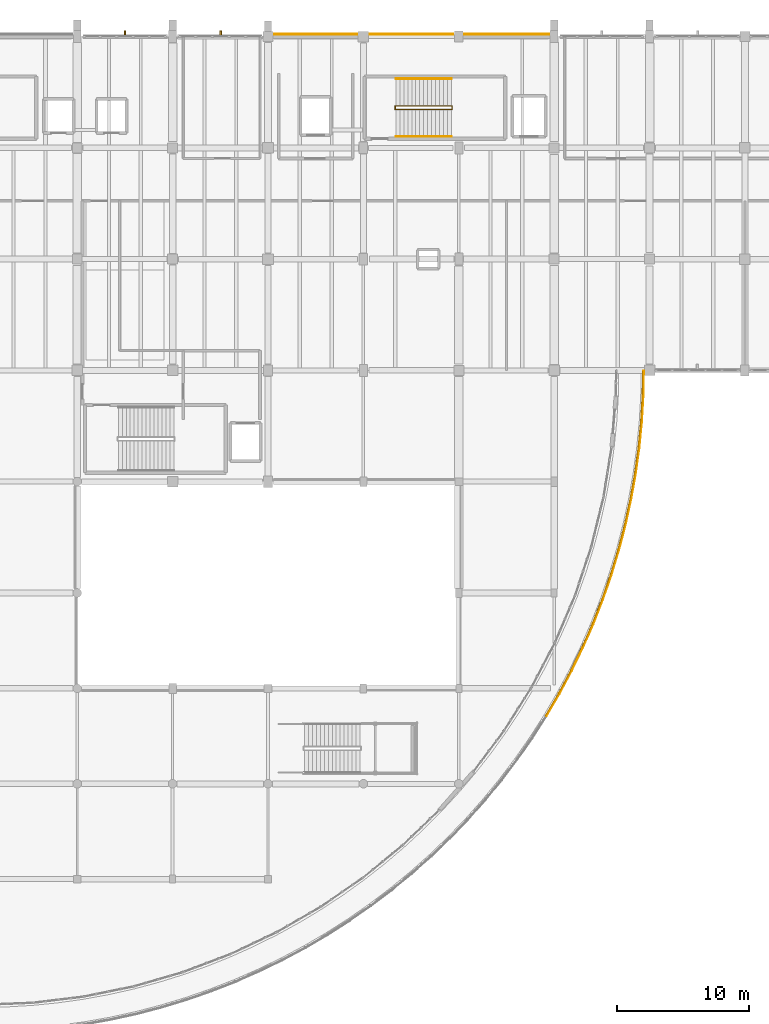
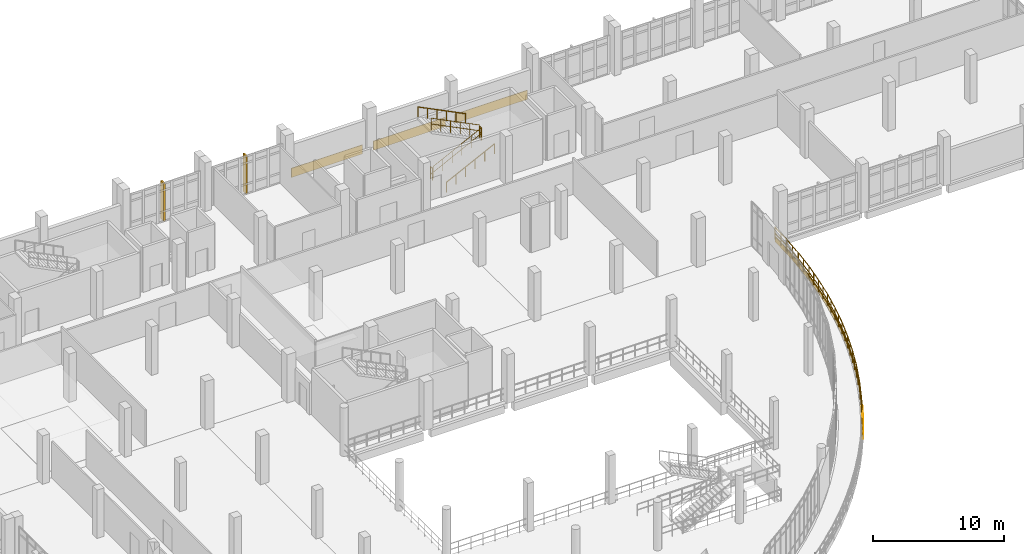
# One storey, part 122 of 124: 20 railings, 17 coverings, 2 shading devices.
"""IFC4 building model written with IfcOpenShell, lengths in metres."""

from ifc_helpers import new_model, si_unit, direction, frame, origin, origin_2d, place, context, subcontext, project, spatial, rectangle, circle, extrude, material, layer, layer_set, type_object, element, save


model = new_model("IFC4")

# Units and contexts
model_context = context("Model", 3, precision=1e-05, world=origin(), true_north=direction((0.0, 1.0)))
body_context = subcontext(model_context, "Body", "Model", "MODEL_VIEW")
ifc_project = project(units=[si_unit("LENGTHUNIT", "METRE"), si_unit("AREAUNIT", "SQUARE_METRE"), si_unit("VOLUMEUNIT", "CUBIC_METRE"), si_unit("PLANEANGLEUNIT", "RADIAN"), si_unit("MASSUNIT", "GRAM", prefix="KILO")], contexts=[model_context])

# Site, building, storey
site_placement = place(None, origin())
site = spatial("IfcSite", under=ifc_project, at=site_placement, CompositionType="ELEMENT")
building_placement = place(site_placement, origin())
building = spatial("IfcBuilding", under=site, at=building_placement, Name="Kalluvel Institute of Natural Sciences", CompositionType="ELEMENT")
storey_placement = place(building_placement, frame((0.0, 0.0, 9.89990234375)))
storey = spatial("IfcBuildingStorey", under=building, at=storey_placement, Name="L02", CompositionType="ELEMENT", Elevation=9.89990234375)

# Coverings
ifc_material_1 = material(Name="Sadarahalli Grey Granite Ashlar Concrete M40", Category="masonry")
ifc_layer = layer(ifc_material_1, 0.044921875)
ifc_layer_set = layer_set([ifc_layer], Name="Sadarahalli Grey Granite Ashlar Concrete M40")
covering_type = type_object("IfcCoveringType", Name="COV-CLAD-STONE", PredefinedType="CLADDING", material=ifc_layer_set)
covering_1_placement = place(storey_placement, frame((60.78759765625, 128.179931640625, 0.025146484375), z_axis=(0.0, 0.0, 1.0), x_axis=(1.0, 0.0, 0.0)))
element("IfcCovering", 1, at=covering_1_placement, inside=storey, type_object=covering_type, Name="L02 Sadarahalli granite plinth spandrel cladding 29", PredefinedType="CLADDING", context=body_context, shape_type="SweptSolid", body=[
    extrude(rectangle(XDim=6.264892578125, YDim=0.044921875, at=origin_2d()), origin(), (0.0, 0.0, 1.0), 0.85009765625),
])
covering_2_placement = place(storey_placement, frame((68.03759765625, 128.179931640625, 0.025146484375), z_axis=(0.0, 0.0, 1.0), x_axis=(1.0, 0.0, 0.0)))
element("IfcCovering", 2, at=covering_2_placement, inside=storey, type_object=covering_type, Name="L02 Sadarahalli granite plinth spandrel cladding 30", PredefinedType="CLADDING", context=body_context, shape_type="SweptSolid", body=[
    extrude(rectangle(XDim=6.31494140625, YDim=0.044921875, at=origin_2d()), origin(), (0.0, 0.0, 1.0), 0.85009765625),
])
covering_3_placement = place(storey_placement, frame((75.21240234375, 128.179931640625, 0.025146484375), z_axis=(0.0, 0.0, 1.0), x_axis=(1.0, 0.0, 0.0)))
element("IfcCovering", 3, at=covering_3_placement, inside=storey, type_object=covering_type, Name="L02 Sadarahalli granite plinth spandrel cladding 31", PredefinedType="CLADDING", context=body_context, shape_type="SweptSolid", body=[
    extrude(rectangle(XDim=6.4150390625, YDim=0.044921875, at=origin_2d()), origin(), (0.0, 0.0, 1.0), 0.85009765625),
])
for number, where, z_axis, x_axis, name in (
    (4, (78.69384765625, 77.542236328125, -0.31982421875), (0.0, 0.0, 1.0), (0.505582083675, 0.862778509623, 0.0), "L02 curved terrace Sadarahalli stone spandrel fascia 273"),
    (5, (79.65234375, 79.253662109375, -0.31982421875), (0.0, 0.0, 1.0), (0.47147369718, 0.881880123865, 0.0), "L02 curved terrace Sadarahalli stone spandrel fascia 274"),
    (6, (80.542724609375, 81.001220703125, -0.31982421875), (0.0, 0.0, 1.0), (0.436487756861, 0.899710196736, 0.0), "L02 curved terrace Sadarahalli stone spandrel fascia 275"),
    (7, (81.364013671875, 82.782470703125, -0.31982421875), (0.0, 0.0, 1.0), (0.400668879095, 0.916222925562, 0.0), "L02 curved terrace Sadarahalli stone spandrel fascia 276"),
    (8, (82.114501953125, 84.594482421875, -0.31982421875), (0.0, 0.0, 1.0), (0.364551762325, 0.931183125162, 0.0), "L02 curved terrace Sadarahalli stone spandrel fascia 277"),
    (9, (82.79345703125, 86.434814453125, -0.31982421875), (0.0, 0.0, 1.0), (0.327712628196, 0.944777451743, 0.0), "L02 curved terrace Sadarahalli stone spandrel fascia 278"),
    (10, (83.3994140625, 88.300048828125, -0.31982421875), (0.0, 0.0, 1.0), (0.290201167351, 0.956965664205, 0.0), "L02 curved terrace Sadarahalli stone spandrel fascia 279"),
    (11, (83.931884765625, 90.18798828125, -0.31982421875), (0.0, 0.0, 1.0), (0.252576015004, 0.967577054629, 0.0), "L02 curved terrace Sadarahalli stone spandrel fascia 280"),
    (12, (84.389892578125, 92.09521484375, -0.31982421875), (0.0, 0.0, 1.0), (0.214223913346, 0.976784579603, 0.0), "L02 curved terrace Sadarahalli stone spandrel fascia 281"),
    (13, (84.7724609375, 94.018798828125, -0.31982421875), (0.0, 0.0, 1.0), (0.175710371841, 0.984441905461, 0.0), "L02 curved terrace Sadarahalli stone spandrel fascia 282"),
    (14, (85.079345703125, 95.956298828125, -0.31982421875), (0.0, 0.0, 1.0), (0.137098784642, 0.990557380089, 0.0), "L02 curved terrace Sadarahalli stone spandrel fascia 283"),
    (15, (85.309814453125, 97.904052734375, -0.31982421875), (0.0, 0.0, 1.0), (0.097930293706, 0.995193276492, 0.0), "L02 curved terrace Sadarahalli stone spandrel fascia 284"),
    (16, (85.463623046875, 99.859375, -0.31982421875), (0.0, 0.0, 1.0), (0.058957918535, 0.998260468937, 0.0), "L02 curved terrace Sadarahalli stone spandrel fascia 285"),
    (17, (85.540771484375, 101.8193359375, -0.31982421875), (0.0, 0.0, 1.0), (0.019546442745, 0.999808950038, 0.0), "L02 curved terrace Sadarahalli stone spandrel fascia 286"),
):
    element("IfcCovering", number, at=place(storey_placement, frame(where, z_axis=z_axis, x_axis=x_axis)), inside=storey, type_object=covering_type, Name=name, PredefinedType="CLADDING", context=body_context, shape_type="SweptSolid", body=[
        extrude(rectangle(XDim=1.92138671875, YDim=0.054931640625, at=origin_2d()), origin(), (0.0, 0.0, 1.0), 0.47998046875),
    ])

# Railings
ifc_material_2 = material(Name="Steel E350 Grade 350", Category="steel")
railing_type_1 = type_object("IfcRailingType", Name="RL-BAL-EXT", PredefinedType="BALUSTRADE", material=ifc_material_2)
railing_1_placement = place(storey_placement, frame((78.129638671875, 76.73779296875, 0.0)))
element("IfcRailing", 18, at=railing_1_placement, inside=storey, type_object=railing_type_1, Name="L02 curved atrium terrace balustrade", PredefinedType="BALUSTRADE", context=body_context, shape_type="SweptSolid", body=[
    extrude(circle(Radius=0.02392578125, at=origin_2d()), frame((0.0, 0.0, 1.09619140625), z_axis=(0.505706703686, 0.862705471089, 0.0), x_axis=(-0.862705471089, 0.505706703686, 0.0)), (0.0, 0.0, 1.0), 1.95849609375),
    extrude(circle(Radius=0.02392578125, at=origin_2d()), frame((0.0, 0.0, 0.56005859375), z_axis=(0.505706703686, 0.862705471089, 0.0), x_axis=(-0.862705471089, 0.505706703686, 0.0)), (0.0, 0.0, 1.0), 1.95849609375),
    extrude(circle(Radius=0.02099609375, at=origin_2d()), origin(), (0.0, 0.0, 1.0), 1.072021484375),
    extrude(circle(Radius=0.02099609375, at=origin_2d()), frame((0.4951171875, 0.8447265625, 0.0)), (0.0, 0.0, 1.0), 1.072021484375),
    extrude(circle(Radius=0.02099609375, at=origin_2d()), frame((0.990478515625, 1.689697265625, 0.0)), (0.0, 0.0, 1.0), 1.072021484375),
])
railing_2_placement = place(storey_placement, frame((79.1201171875, 78.427490234375, 0.0)))
element("IfcRailing", 19, at=railing_2_placement, inside=storey, type_object=railing_type_1, Name="L02 curved atrium terrace balustrade", PredefinedType="BALUSTRADE", context=body_context, shape_type="SweptSolid", body=[
    extrude(circle(Radius=0.02392578125, at=origin_2d()), frame((0.0, 0.0, 1.09619140625), z_axis=(0.471377271187, 0.881931668673, 0.0), x_axis=(-0.881931668673, 0.471377271187, 0.0)), (0.0, 0.0, 1.0), 1.958740234375),
    extrude(circle(Radius=0.02392578125, at=origin_2d()), frame((0.0, 0.0, 0.56005859375), z_axis=(0.471377271187, 0.881931668673, 0.0), x_axis=(-0.881931668673, 0.471377271187, 0.0)), (0.0, 0.0, 1.0), 1.958740234375),
    extrude(circle(Radius=0.02099609375, at=origin_2d()), origin(), (0.0, 0.0, 1.0), 1.072021484375),
    extrude(circle(Radius=0.02099609375, at=origin_2d()), frame((0.461669921875, 0.86376953125, 0.0)), (0.0, 0.0, 1.0), 1.072021484375),
    extrude(circle(Radius=0.02099609375, at=origin_2d()), frame((0.92333984375, 1.7275390625, 0.0)), (0.0, 0.0, 1.0), 1.072021484375),
])
railing_3_placement = place(storey_placement, frame((80.04345703125, 80.155029296875, 0.0)))
element("IfcRailing", 20, at=railing_3_placement, inside=storey, type_object=railing_type_1, Name="L02 curved atrium terrace balustrade", PredefinedType="BALUSTRADE", context=body_context, shape_type="SweptSolid", body=[
    extrude(circle(Radius=0.02392578125, at=origin_2d()), frame((0.0, 0.0, 1.09619140625), z_axis=(0.436411129758, 0.899747367778, 0.0), x_axis=(-0.899747367778, 0.436411129758, 0.0)), (0.0, 0.0, 1.0), 1.95849609375),
    extrude(circle(Radius=0.02392578125, at=origin_2d()), frame((0.0, 0.0, 0.56005859375), z_axis=(0.436411129758, 0.899747367778, 0.0), x_axis=(-0.899747367778, 0.436411129758, 0.0)), (0.0, 0.0, 1.0), 1.95849609375),
    extrude(circle(Radius=0.02099609375, at=origin_2d()), origin(), (0.0, 0.0, 1.0), 1.072021484375),
    extrude(circle(Radius=0.02099609375, at=origin_2d()), frame((0.42724609375, 0.881103515625, 0.0)), (0.0, 0.0, 1.0), 1.072021484375),
    extrude(circle(Radius=0.02099609375, at=origin_2d()), frame((0.854736328125, 1.76220703125, 0.0)), (0.0, 0.0, 1.0), 1.072021484375),
])
railing_4_placement = place(storey_placement, frame((80.898193359375, 81.917236328125, 0.0)))
element("IfcRailing", 21, at=railing_4_placement, inside=storey, type_object=railing_type_1, Name="L02 curved atrium terrace balustrade", PredefinedType="BALUSTRADE", context=body_context, shape_type="SweptSolid", body=[
    extrude(circle(Radius=0.02392578125, at=origin_2d()), frame((0.0, 0.0, 1.09619140625), z_axis=(0.400707679461, 0.916205956988, 0.0), x_axis=(-0.916205956988, 0.400707679461, 0.0)), (0.0, 0.0, 1.0), 1.958740234375),
    extrude(circle(Radius=0.02392578125, at=origin_2d()), frame((0.0, 0.0, 0.56005859375), z_axis=(0.400707679461, 0.916205956988, 0.0), x_axis=(-0.916205956988, 0.400707679461, 0.0)), (0.0, 0.0, 1.0), 1.958740234375),
    extrude(circle(Radius=0.02099609375, at=origin_2d()), origin(), (0.0, 0.0, 1.0), 1.072021484375),
    extrude(circle(Radius=0.02099609375, at=origin_2d()), frame((0.392578125, 0.8974609375, 0.0)), (0.0, 0.0, 1.0), 1.072021484375),
    extrude(circle(Radius=0.02099609375, at=origin_2d()), frame((0.784912109375, 1.794677734375, 0.0)), (0.0, 0.0, 1.0), 1.072021484375),
])
railing_5_placement = place(storey_placement, frame((81.68310546875, 83.7119140625, 0.0)))
element("IfcRailing", 22, at=railing_5_placement, inside=storey, type_object=railing_type_1, Name="L02 curved atrium terrace balustrade", PredefinedType="BALUSTRADE", context=body_context, shape_type="SweptSolid", body=[
    extrude(circle(Radius=0.02392578125, at=origin_2d()), frame((0.0, 0.0, 1.09619140625), z_axis=(0.36450275195, 0.931202310898, 0.0), x_axis=(-0.931202310898, 0.36450275195, 0.0)), (0.0, 0.0, 1.0), 1.95849609375),
    extrude(circle(Radius=0.02392578125, at=origin_2d()), frame((0.0, 0.0, 0.56005859375), z_axis=(0.36450275195, 0.931202310898, 0.0), x_axis=(-0.931202310898, 0.36450275195, 0.0)), (0.0, 0.0, 1.0), 1.95849609375),
    extrude(circle(Radius=0.02099609375, at=origin_2d()), origin(), (0.0, 0.0, 1.0), 1.072021484375),
    extrude(circle(Radius=0.02099609375, at=origin_2d()), frame((0.35693359375, 0.911865234375, 0.0)), (0.0, 0.0, 1.0), 1.072021484375),
    extrude(circle(Radius=0.02099609375, at=origin_2d()), frame((0.7138671875, 1.82373046875, 0.0)), (0.0, 0.0, 1.0), 1.072021484375),
])
railing_6_placement = place(storey_placement, frame((82.39697265625, 85.53564453125, 0.0)))
element("IfcRailing", 23, at=railing_6_placement, inside=storey, type_object=railing_type_1, Name="L02 curved atrium terrace balustrade", PredefinedType="BALUSTRADE", context=body_context, shape_type="SweptSolid", body=[
    extrude(circle(Radius=0.02392578125, at=origin_2d()), frame((0.0, 0.0, 1.09619140625), z_axis=(0.327684153775, 0.944787328114, 0.0), x_axis=(-0.944787328114, 0.327684153775, 0.0)), (0.0, 0.0, 1.0), 1.958740234375),
    extrude(circle(Radius=0.02392578125, at=origin_2d()), frame((0.0, 0.0, 0.56005859375), z_axis=(0.327684153775, 0.944787328114, 0.0), x_axis=(-0.944787328114, 0.327684153775, 0.0)), (0.0, 0.0, 1.0), 1.958740234375),
    extrude(circle(Radius=0.02099609375, at=origin_2d()), origin(), (0.0, 0.0, 1.0), 1.072021484375),
    extrude(circle(Radius=0.02099609375, at=origin_2d()), frame((0.32080078125, 0.92529296875, 0.0)), (0.0, 0.0, 1.0), 1.072021484375),
    extrude(circle(Radius=0.02099609375, at=origin_2d()), frame((0.641845703125, 1.8505859375, 0.0)), (0.0, 0.0, 1.0), 1.072021484375),
])
railing_7_placement = place(storey_placement, frame((83.038818359375, 87.38623046875, 0.0)))
element("IfcRailing", 24, at=railing_7_placement, inside=storey, type_object=railing_type_1, Name="L02 curved atrium terrace balustrade", PredefinedType="BALUSTRADE", context=body_context, shape_type="SweptSolid", body=[
    extrude(circle(Radius=0.02392578125, at=origin_2d()), frame((0.0, 0.0, 1.09619140625), z_axis=(0.290194213306, 0.956967773002, 0.0), x_axis=(-0.956967773002, 0.290194213306, 0.0)), (0.0, 0.0, 1.0), 1.95849609375),
    extrude(circle(Radius=0.02392578125, at=origin_2d()), frame((0.0, 0.0, 0.56005859375), z_axis=(0.290194213306, 0.956967773002, 0.0), x_axis=(-0.956967773002, 0.290194213306, 0.0)), (0.0, 0.0, 1.0), 1.95849609375),
    extrude(circle(Radius=0.02099609375, at=origin_2d()), origin(), (0.0, 0.0, 1.0), 1.072021484375),
    extrude(circle(Radius=0.02099609375, at=origin_2d()), frame((0.2841796875, 0.93701171875, 0.0)), (0.0, 0.0, 1.0), 1.072021484375),
    extrude(circle(Radius=0.02099609375, at=origin_2d()), frame((0.568359375, 1.874267578125, 0.0)), (0.0, 0.0, 1.0), 1.072021484375),
])
railing_8_placement = place(storey_placement, frame((83.607177734375, 89.260498046875, 0.0)))
element("IfcRailing", 25, at=railing_8_placement, inside=storey, type_object=railing_type_1, Name="L02 curved atrium terrace balustrade", PredefinedType="BALUSTRADE", context=body_context, shape_type="SweptSolid", body=[
    extrude(circle(Radius=0.02392578125, at=origin_2d()), frame((0.0, 0.0, 1.09619140625), z_axis=(0.252523373672, 0.967590794577, 0.0), x_axis=(-0.967590794577, 0.252523373672, 0.0)), (0.0, 0.0, 1.0), 1.958740234375),
    extrude(circle(Radius=0.02392578125, at=origin_2d()), frame((0.0, 0.0, 0.56005859375), z_axis=(0.252523373672, 0.967590794577, 0.0), x_axis=(-0.967590794577, 0.252523373672, 0.0)), (0.0, 0.0, 1.0), 1.958740234375),
    extrude(circle(Radius=0.02099609375, at=origin_2d()), origin(), (0.0, 0.0, 1.0), 1.072021484375),
    extrude(circle(Radius=0.02099609375, at=origin_2d()), frame((0.247314453125, 0.94775390625, 0.0)), (0.0, 0.0, 1.0), 1.072021484375),
    extrude(circle(Radius=0.02099609375, at=origin_2d()), frame((0.49462890625, 1.895263671875, 0.0)), (0.0, 0.0, 1.0), 1.072021484375),
])
railing_9_placement = place(storey_placement, frame((84.101806640625, 91.15576171875, 0.0)))
element("IfcRailing", 26, at=railing_9_placement, inside=storey, type_object=railing_type_1, Name="L02 curved atrium terrace balustrade", PredefinedType="BALUSTRADE", context=body_context, shape_type="SweptSolid", body=[
    extrude(circle(Radius=0.02392578125, at=origin_2d()), frame((0.0, 0.0, 1.09619140625), z_axis=(0.214276769137, 0.976772986015, 0.0), x_axis=(-0.976772986015, 0.214276769137, 0.0)), (0.0, 0.0, 1.0), 1.95849609375),
    extrude(circle(Radius=0.02392578125, at=origin_2d()), frame((0.0, 0.0, 0.56005859375), z_axis=(0.214276769137, 0.976772986015, 0.0), x_axis=(-0.976772986015, 0.214276769137, 0.0)), (0.0, 0.0, 1.0), 1.95849609375),
    extrude(circle(Radius=0.02099609375, at=origin_2d()), origin(), (0.0, 0.0, 1.0), 1.072021484375),
    extrude(circle(Radius=0.02099609375, at=origin_2d()), frame((0.2099609375, 0.95654296875, 0.0)), (0.0, 0.0, 1.0), 1.072021484375),
    extrude(circle(Radius=0.02099609375, at=origin_2d()), frame((0.419677734375, 1.9130859375, 0.0)), (0.0, 0.0, 1.0), 1.072021484375),
])
railing_10_placement = place(storey_placement, frame((84.521484375, 93.06884765625, 0.0)))
element("IfcRailing", 27, at=railing_10_placement, inside=storey, type_object=railing_type_1, Name="L02 curved atrium terrace balustrade", PredefinedType="BALUSTRADE", context=body_context, shape_type="SweptSolid", body=[
    extrude(circle(Radius=0.02392578125, at=origin_2d()), frame((0.0, 0.0, 1.09619140625), z_axis=(0.175868288129, 0.98441370634, 0.0), x_axis=(-0.98441370634, 0.175868288129, 0.0)), (0.0, 0.0, 1.0), 1.958740234375),
    extrude(circle(Radius=0.02392578125, at=origin_2d()), frame((0.0, 0.0, 0.56005859375), z_axis=(0.175868288129, 0.98441370634, 0.0), x_axis=(-0.98441370634, 0.175868288129, 0.0)), (0.0, 0.0, 1.0), 1.958740234375),
    extrude(circle(Radius=0.02099609375, at=origin_2d()), origin(), (0.0, 0.0, 1.0), 1.072021484375),
    extrude(circle(Radius=0.02099609375, at=origin_2d()), frame((0.17236328125, 0.964111328125, 0.0)), (0.0, 0.0, 1.0), 1.072021484375),
    extrude(circle(Radius=0.02099609375, at=origin_2d()), frame((0.344482421875, 1.92822265625, 0.0)), (0.0, 0.0, 1.0), 1.072021484375),
])
railing_11_placement = place(storey_placement, frame((84.865966796875, 94.9970703125, 0.0)))
element("IfcRailing", 28, at=railing_11_placement, inside=storey, type_object=railing_type_1, Name="L02 curved atrium terrace balustrade", PredefinedType="BALUSTRADE", context=body_context, shape_type="SweptSolid", body=[
    extrude(circle(Radius=0.02392578125, at=origin_2d()), frame((0.0, 0.0, 1.09619140625), z_axis=(0.136987477588, 0.990572779246, 0.0), x_axis=(-0.990572779246, 0.136987477588, 0.0)), (0.0, 0.0, 1.0), 1.958740234375),
    extrude(circle(Radius=0.02392578125, at=origin_2d()), frame((0.0, 0.0, 0.56005859375), z_axis=(0.136987477588, 0.990572779246, 0.0), x_axis=(-0.990572779246, 0.136987477588, 0.0)), (0.0, 0.0, 1.0), 1.958740234375),
    extrude(circle(Radius=0.02099609375, at=origin_2d()), origin(), (0.0, 0.0, 1.0), 1.072021484375),
    extrude(circle(Radius=0.02099609375, at=origin_2d()), frame((0.13427734375, 0.97021484375, 0.0)), (0.0, 0.0, 1.0), 1.072021484375),
    extrude(circle(Radius=0.02099609375, at=origin_2d()), frame((0.268310546875, 1.940185546875, 0.0)), (0.0, 0.0, 1.0), 1.072021484375),
])
railing_12_placement = place(storey_placement, frame((85.13427734375, 96.937255859375, 0.0)))
element("IfcRailing", 29, at=railing_12_placement, inside=storey, type_object=railing_type_1, Name="L02 curved atrium terrace balustrade", PredefinedType="BALUSTRADE", context=body_context, shape_type="SweptSolid", body=[
    extrude(circle(Radius=0.02392578125, at=origin_2d()), frame((0.0, 0.0, 1.09619140625), z_axis=(0.09797327036, 0.995189046511, 0.0), x_axis=(-0.995189046511, 0.09797327036, 0.0)), (0.0, 0.0, 1.0), 1.958740234375),
    extrude(circle(Radius=0.02392578125, at=origin_2d()), frame((0.0, 0.0, 0.56005859375), z_axis=(0.09797327036, 0.995189046511, 0.0), x_axis=(-0.995189046511, 0.09797327036, 0.0)), (0.0, 0.0, 1.0), 1.958740234375),
    extrude(circle(Radius=0.02099609375, at=origin_2d()), origin(), (0.0, 0.0, 1.0), 1.072021484375),
    extrude(circle(Radius=0.02099609375, at=origin_2d()), frame((0.095947265625, 0.974609375, 0.0)), (0.0, 0.0, 1.0), 1.072021484375),
    extrude(circle(Radius=0.02099609375, at=origin_2d()), frame((0.19189453125, 1.94921875, 0.0)), (0.0, 0.0, 1.0), 1.072021484375),
])
railing_13_placement = place(storey_placement, frame((85.326171875, 98.886474609375, 0.0)))
element("IfcRailing", 30, at=railing_13_placement, inside=storey, type_object=railing_type_1, Name="L02 curved atrium terrace balustrade", PredefinedType="BALUSTRADE", context=body_context, shape_type="SweptSolid", body=[
    extrude(circle(Radius=0.02392578125, at=origin_2d()), frame((0.0, 0.0, 1.09619140625), z_axis=(0.0589558322, 0.998260592155, 0.0), x_axis=(-0.998260592155, 0.0589558322, 0.0)), (0.0, 0.0, 1.0), 1.958740234375),
    extrude(circle(Radius=0.02392578125, at=origin_2d()), frame((0.0, 0.0, 0.56005859375), z_axis=(0.0589558322, 0.998260592155, 0.0), x_axis=(-0.998260592155, 0.0589558322, 0.0)), (0.0, 0.0, 1.0), 1.958740234375),
    extrude(circle(Radius=0.02099609375, at=origin_2d()), origin(), (0.0, 0.0, 1.0), 1.072021484375),
    extrude(circle(Radius=0.02099609375, at=origin_2d()), frame((0.0576171875, 0.9775390625, 0.0)), (0.0, 0.0, 1.0), 1.072021484375),
    extrude(circle(Radius=0.02099609375, at=origin_2d()), frame((0.115478515625, 1.955322265625, 0.0)), (0.0, 0.0, 1.0), 1.072021484375),
])
railing_14_placement = place(storey_placement, frame((85.441650390625, 100.841796875, 0.0)))
element("IfcRailing", 31, at=railing_14_placement, inside=storey, type_object=railing_type_1, Name="L02 curved atrium terrace balustrade", PredefinedType="BALUSTRADE", context=body_context, shape_type="SweptSolid", body=[
    extrude(circle(Radius=0.02392578125, at=origin_2d()), frame((0.0, 0.0, 1.09619140625), z_axis=(0.020403914663, 0.999791818463, 0.0), x_axis=(-0.999791818463, 0.020403914663, 0.0)), (0.0, 0.0, 1.0), 1.878662109375),
    extrude(circle(Radius=0.02392578125, at=origin_2d()), frame((0.0, 0.0, 0.56005859375), z_axis=(0.020403914663, 0.999791818463, 0.0), x_axis=(-0.999791818463, 0.020403914663, 0.0)), (0.0, 0.0, 1.0), 1.878662109375),
    extrude(circle(Radius=0.02099609375, at=origin_2d()), origin(), (0.0, 0.0, 1.0), 1.072021484375),
    extrude(circle(Radius=0.02099609375, at=origin_2d()), frame((0.01904296875, 0.93896484375, 0.0)), (0.0, 0.0, 1.0), 1.072021484375),
    extrude(circle(Radius=0.02099609375, at=origin_2d()), frame((0.038330078125, 1.878173828125, 0.0)), (0.0, 0.0, 1.0), 1.072021484375),
])
ifc_material_3 = material(Name="Galvanized Fire-Rated Steel", Category="steel")
railing_type_2 = type_object("IfcRailingType", Name="RL-GD-STAIR", PredefinedType="BALUSTRADE", material=ifc_material_3)
railing_15_placement = place(storey_placement, frame((66.85009765625, 122.510009765625, 0.150146484375)))
element("IfcRailing", 32, at=railing_15_placement, inside=storey, type_object=railing_type_2, Name="L02 ST2 stair guard 1", PredefinedType="BALUSTRADE", context=body_context, shape_type="SweptSolid", body=[
    extrude(circle(Radius=0.02392578125, at=origin_2d()), frame((0.0, 0.0, 1.09619140625), z_axis=(0.894437589381, 0.0, 0.447192798132), x_axis=(0.0, 1.0, 0.0)), (0.0, 0.0, 1.0), 4.695556640625),
    extrude(circle(Radius=0.02392578125, at=origin_2d()), frame((0.0, 0.0, 0.56005859375), z_axis=(0.894437589381, 0.0, 0.447192798132), x_axis=(0.0, 1.0, 0.0)), (0.0, 0.0, 1.0), 4.695556640625),
    extrude(circle(Radius=0.02099609375, at=origin_2d()), origin(), (0.0, 0.0, 1.0), 1.072021484375),
    extrude(circle(Radius=0.02099609375, at=origin_2d()), frame((0.840087890625, 0.0, 0.419921875)), (0.0, 0.0, 1.0), 1.072021484375),
    extrude(circle(Radius=0.02099609375, at=origin_2d()), frame((1.679931640625, 0.0, 0.83984375)), (0.0, 0.0, 1.0), 1.072021484375),
    extrude(circle(Radius=0.02099609375, at=origin_2d()), frame((2.52001953125, 0.0, 1.260009765625)), (0.0, 0.0, 1.0), 1.072021484375),
    extrude(circle(Radius=0.02099609375, at=origin_2d()), frame((3.35986328125, 0.0, 1.679931640625)), (0.0, 0.0, 1.0), 1.072021484375),
    extrude(circle(Radius=0.02099609375, at=origin_2d()), frame((4.199951171875, 0.0, 2.099853515625)), (0.0, 0.0, 1.0), 1.072021484375),
])
railing_16_placement = place(storey_placement, frame((71.10009765625, 122.4951171875, 2.25)))
element("IfcRailing", 33, at=railing_16_placement, inside=storey, type_object=railing_type_2, Name="L02 ST2 stair guard 2", PredefinedType="BALUSTRADE", context=body_context, shape_type="SweptSolid", body=[
    extrude(circle(Radius=0.02392578125, at=origin_2d()), frame((0.0, 0.0, 1.09619140625), z_axis=(0.0, 1.0, 0.0), x_axis=(-1.0, 0.0, 0.0)), (0.0, 0.0, 1.0), 0.27978515625),
    extrude(circle(Radius=0.02392578125, at=origin_2d()), frame((0.0, 0.0, 0.56005859375), z_axis=(0.0, 1.0, 0.0), x_axis=(-1.0, 0.0, 0.0)), (0.0, 0.0, 1.0), 0.27978515625),
    extrude(circle(Radius=0.02099609375, at=origin_2d()), origin(), (0.0, 0.0, 1.0), 1.072021484375),
    extrude(circle(Radius=0.02099609375, at=origin_2d()), frame((0.0, 0.27978515625, 0.0)), (0.0, 0.0, 1.0), 1.072021484375),
])
railing_17_placement = place(storey_placement, frame((71.050048828125, 122.760009765625, 2.400146484375)))
element("IfcRailing", 34, at=railing_17_placement, inside=storey, type_object=railing_type_2, Name="L02 ST2 stair guard 3", PredefinedType="BALUSTRADE", context=body_context, shape_type="SweptSolid", body=[
    extrude(circle(Radius=0.02392578125, at=origin_2d()), frame((0.0, 0.0, 1.09619140625), z_axis=(-0.894437589381, 0.0, 0.447192798132), x_axis=(0.0, -1.0, 0.0)), (0.0, 0.0, 1.0), 4.695556640625),
    extrude(circle(Radius=0.02392578125, at=origin_2d()), frame((0.0, 0.0, 0.56005859375), z_axis=(-0.894437589381, 0.0, 0.447192798132), x_axis=(0.0, -1.0, 0.0)), (0.0, 0.0, 1.0), 4.695556640625),
    extrude(circle(Radius=0.02099609375, at=origin_2d()), origin(), (0.0, 0.0, 1.0), 1.072021484375),
    extrude(circle(Radius=0.02099609375, at=origin_2d()), frame((-0.840087890625, 0.0, 0.419921875)), (0.0, 0.0, 1.0), 1.072021484375),
    extrude(circle(Radius=0.02099609375, at=origin_2d()), frame((-1.679931640625, 0.0, 0.83984375)), (0.0, 0.0, 1.0), 1.072021484375),
    extrude(circle(Radius=0.02099609375, at=origin_2d()), frame((-2.52001953125, 0.0, 1.260009765625)), (0.0, 0.0, 1.0), 1.072021484375),
    extrude(circle(Radius=0.02099609375, at=origin_2d()), frame((-3.35986328125, 0.0, 1.679931640625)), (0.0, 0.0, 1.0), 1.072021484375),
    extrude(circle(Radius=0.02099609375, at=origin_2d()), frame((-4.199951171875, 0.0, 2.099853515625)), (0.0, 0.0, 1.0), 1.072021484375),
])
railing_18_placement = place(storey_placement, frame((66.800048828125, 122.4951171875, 0.0)))
element("IfcRailing", 35, at=railing_18_placement, inside=storey, type_object=railing_type_2, Name="L02 ST2 stair guard 4", PredefinedType="BALUSTRADE", context=body_context, shape_type="SweptSolid", body=[
    extrude(circle(Radius=0.02392578125, at=origin_2d()), frame((0.0, 0.0, 1.09619140625), z_axis=(0.0, 1.0, 0.0), x_axis=(-1.0, 0.0, 0.0)), (0.0, 0.0, 1.0), 0.27978515625),
    extrude(circle(Radius=0.02392578125, at=origin_2d()), frame((0.0, 0.0, 0.56005859375), z_axis=(0.0, 1.0, 0.0), x_axis=(-1.0, 0.0, 0.0)), (0.0, 0.0, 1.0), 0.27978515625),
    extrude(circle(Radius=0.02099609375, at=origin_2d()), origin(), (0.0, 0.0, 1.0), 1.072021484375),
    extrude(circle(Radius=0.02099609375, at=origin_2d()), frame((0.0, 0.27978515625, 0.0)), (0.0, 0.0, 1.0), 1.072021484375),
])
railing_type_3 = type_object("IfcRailingType", Name="RL-HR-STAIR", PredefinedType="HANDRAIL", material=ifc_material_3)
railing_19_placement = place(storey_placement, frame((66.85009765625, 120.449951171875, 0.150146484375)))
element("IfcRailing", 36, at=railing_19_placement, inside=storey, type_object=railing_type_3, Name="L02 ST2 stair handrail 1", PredefinedType="HANDRAIL", context=body_context, shape_type="SweptSolid", body=[
    extrude(circle(Radius=0.02392578125, at=origin_2d()), frame((0.0, 0.0, 0.89599609375), z_axis=(0.894437589381, 0.0, 0.447192798132), x_axis=(0.0, 1.0, 0.0)), (0.0, 0.0, 1.0), 4.695556640625),
    extrude(circle(Radius=0.02099609375, at=origin_2d()), origin(), (0.0, 0.0, 1.0), 0.871826171875),
    extrude(circle(Radius=0.02099609375, at=origin_2d()), frame((0.840087890625, 0.0, 0.419921875)), (0.0, 0.0, 1.0), 0.871826171875),
    extrude(circle(Radius=0.02099609375, at=origin_2d()), frame((1.679931640625, 0.0, 0.83984375)), (0.0, 0.0, 1.0), 0.871826171875),
    extrude(circle(Radius=0.02099609375, at=origin_2d()), frame((2.52001953125, 0.0, 1.260009765625)), (0.0, 0.0, 1.0), 0.871826171875),
    extrude(circle(Radius=0.02099609375, at=origin_2d()), frame((3.35986328125, 0.0, 1.679931640625)), (0.0, 0.0, 1.0), 0.871826171875),
    extrude(circle(Radius=0.02099609375, at=origin_2d()), frame((4.199951171875, 0.0, 2.099853515625)), (0.0, 0.0, 1.0), 0.871826171875),
])
railing_20_placement = place(storey_placement, frame((71.050048828125, 124.820068359375, 2.400146484375)))
element("IfcRailing", 37, at=railing_20_placement, inside=storey, type_object=railing_type_3, Name="L02 ST2 stair handrail 2", PredefinedType="HANDRAIL", context=body_context, shape_type="SweptSolid", body=[
    extrude(circle(Radius=0.02392578125, at=origin_2d()), frame((0.0, 0.0, 0.89599609375), z_axis=(-0.894437589381, 0.0, 0.447192798132), x_axis=(0.0, -1.0, 0.0)), (0.0, 0.0, 1.0), 4.695556640625),
    extrude(circle(Radius=0.02099609375, at=origin_2d()), origin(), (0.0, 0.0, 1.0), 0.871826171875),
    extrude(circle(Radius=0.02099609375, at=origin_2d()), frame((-0.840087890625, 0.0, 0.419921875)), (0.0, 0.0, 1.0), 0.871826171875),
    extrude(circle(Radius=0.02099609375, at=origin_2d()), frame((-1.679931640625, 0.0, 0.83984375)), (0.0, 0.0, 1.0), 0.871826171875),
    extrude(circle(Radius=0.02099609375, at=origin_2d()), frame((-2.52001953125, 0.0, 1.260009765625)), (0.0, 0.0, 1.0), 0.871826171875),
    extrude(circle(Radius=0.02099609375, at=origin_2d()), frame((-3.35986328125, 0.0, 1.679931640625)), (0.0, 0.0, 1.0), 0.871826171875),
    extrude(circle(Radius=0.02099609375, at=origin_2d()), frame((-4.199951171875, 0.0, 2.099853515625)), (0.0, 0.0, 1.0), 0.871826171875),
])

# Shading devices
shading_device_type = type_object("IfcShadingDeviceType", Name="SHD-FIN-STONE", PredefinedType="USERDEFINED", material=ifc_material_1)
for number, where, z_axis, x_axis, name in (
    (38, (46.39990234375, 128.219970703125, 0.0), (0.0, 0.0, 1.0), (1.0, 0.0, 0.0), "L02 monsoon lancet shading fin 19"),
    (39, (53.637451171875, 128.219970703125, 0.0), (0.0, 0.0, 1.0), (1.0, 0.0, 0.0), "L02 monsoon lancet shading fin 20"),
):
    element("IfcShadingDevice", number, at=place(storey_placement, frame(where, z_axis=z_axis, x_axis=x_axis)), inside=storey, type_object=shading_device_type, Name=name, ObjectType="MONSOON FIN", PredefinedType="USERDEFINED", context=body_context, shape_type="SweptSolid", body=[
        extrude(rectangle(XDim=0.139892578125, YDim=0.47998046875, at=origin_2d()), origin(), (0.0, 0.0, 1.0), 3.530029296875),
    ])

save(model, "model.ifc")
